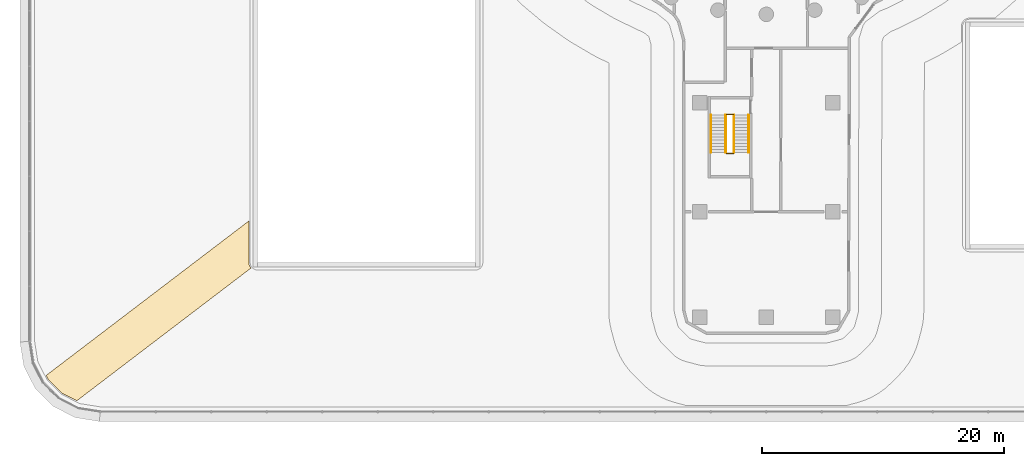
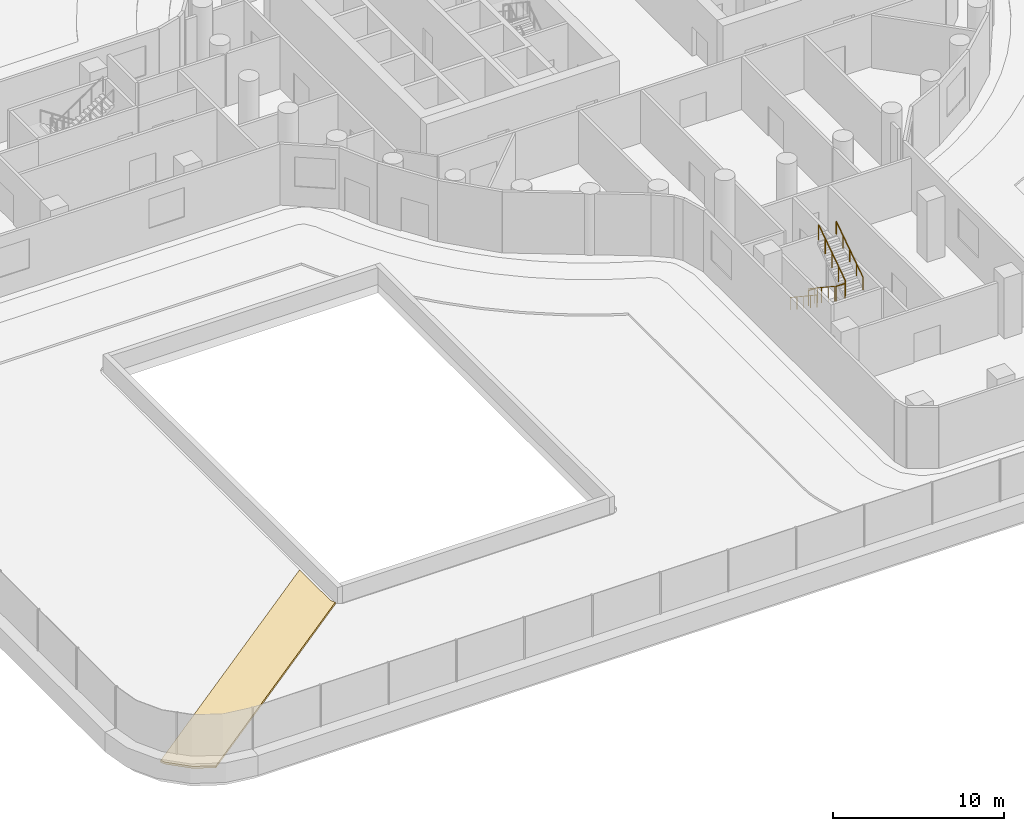
# One storey, part 31 of 37: 6 railings, 1 covering.
"""IFC4 building model written with IfcOpenShell, lengths in metres."""

from ifc_helpers import new_model, si_unit, direction, frame, origin, origin_2d, place, context, subcontext, project, spatial, polyline, circle, outline, extrude, material, layer, layer_set, type_object, element, save


model = new_model("IFC4")

# Units and contexts
model_context = context("Model", 3, precision=1e-05, world=origin(), true_north=direction((0.0, 1.0)))
body_context = subcontext(model_context, "Body", "Model", "MODEL_VIEW")
ifc_project = project(units=[si_unit("LENGTHUNIT", "METRE"), si_unit("AREAUNIT", "SQUARE_METRE"), si_unit("VOLUMEUNIT", "CUBIC_METRE"), si_unit("PLANEANGLEUNIT", "RADIAN"), si_unit("MASSUNIT", "GRAM", prefix="KILO")], contexts=[model_context])

# Site, building, storey
site_placement = place(None, origin())
site = spatial("IfcSite", under=ifc_project, at=site_placement, CompositionType="ELEMENT")
building_placement = place(site_placement, origin())
building = spatial("IfcBuilding", under=site, at=building_placement, Name="Tamarind Cross Interchange Tower", CompositionType="ELEMENT")
storey_placement = place(building_placement, frame((0.0, 0.0, 29.5)))
storey = spatial("IfcBuildingStorey", under=building, at=storey_placement, Name="L05", CompositionType="ELEMENT", Elevation=29.5)

# Covering
ifc_material_1 = material(Name="Terracotta paving", Category="masonry")
ifc_layer = layer(ifc_material_1, 0.14990234375)
ifc_layer_set = layer_set([ifc_layer], Name="Terracotta paving")
covering_type = type_object("IfcCoveringType", Name="Roof terrace paving", PredefinedType="FLOORING", material=ifc_layer_set)
covering_placement = place(storey_placement, frame((0.0, 0.0, 0.14990234375)))
element("IfcCovering", 1, at=covering_placement, inside=storey, type_object=covering_type, Name="PAVR-L05-01", PredefinedType="FLOORING", context=body_context, shape_type="SweptSolid", body=[
    extrude(outline(polyline([(-58.110107421875, -54.28076171875), (-56.90771484375, -54.893310546875), (-42.539306640625, -43.9462890625), (-42.544189453125, -43.940185546875), (-42.5791015625, -43.892822265625), (-42.584716796875, -43.884765625), (-42.614990234375, -43.834228515625), (-42.61962890625, -43.82568359375), (-42.644775390625, -43.7724609375), (-42.6484375, -43.76318359375), (-42.668212890625, -43.7080078125), (-42.671142578125, -43.698486328125), (-42.685546875, -43.641357421875), (-42.6875, -43.631591796875), (-42.696044921875, -43.573486328125), (-42.697021484375, -43.563720703125), (-42.699951171875, -43.5048828125), (-42.699951171875, -43.5), (-42.699951171875, -40.045654296875), (-59.439208984375, -52.79931640625), (-59.28076171875, -53.110107421875), (-58.110107421875, -54.28076171875)])), origin(), (0.0, 0.0, 1.0), 0.150146484375),
])

# Railings
ifc_material_2 = material(Name="Stair guard")
railing_type_1 = type_object("IfcRailingType", Name="Stair guard", PredefinedType="GUARDRAIL", material=ifc_material_2)
railing_1_placement = place(storey_placement, frame((-3.35009765625, -31.300048828125, 0.173095703125)))
element("IfcRailing", 2, at=railing_1_placement, inside=storey, type_object=railing_type_1, Name="L05 ST6 stair guard 1", PredefinedType="GUARDRAIL", context=body_context, shape_type="SweptSolid", body=[
    extrude(circle(Radius=0.02392578125, at=origin_2d()), frame((0.0, 0.0, 1.076171875), z_axis=(0.0, -0.832420903958, 0.554143879018), x_axis=(1.0, 0.0, 0.0)), (0.0, 0.0, 1.0), 3.748046875),
    extrude(circle(Radius=0.02099609375, at=origin_2d()), origin(), (0.0, 0.0, 1.0), 1.052001953125),
    extrude(circle(Radius=0.02099609375, at=origin_2d()), frame((0.0, -0.780029296875, 0.519287109375)), (0.0, 0.0, 1.0), 1.052001953125),
    extrude(circle(Radius=0.02099609375, at=origin_2d()), frame((0.0, -1.56005859375, 1.03857421875)), (0.0, 0.0, 1.0), 1.052001953125),
    extrude(circle(Radius=0.02099609375, at=origin_2d()), frame((0.0, -2.33984375, 1.5576171875)), (0.0, 0.0, 1.0), 1.052001953125),
    extrude(circle(Radius=0.02099609375, at=origin_2d()), frame((0.0, -3.119873046875, 2.076904296875)), (0.0, 0.0, 1.0), 1.052001953125),
])
railing_2_placement = place(storey_placement, frame((-3.300048828125, -34.469970703125, 2.25)))
element("IfcRailing", 3, at=railing_2_placement, inside=storey, type_object=railing_type_1, Name="L05 ST6 stair guard 2", PredefinedType="GUARDRAIL", context=body_context, shape_type="SweptSolid", body=[
    extrude(circle(Radius=0.02392578125, at=origin_2d()), frame((0.0, 0.0, 1.076171875), z_axis=(1.0, 0.0, 0.0), x_axis=(0.0, 1.0, 0.0)), (0.0, 0.0, 1.0), 0.60009765625),
    extrude(circle(Radius=0.02099609375, at=origin_2d()), origin(), (0.0, 0.0, 1.0), 1.052001953125),
    extrude(circle(Radius=0.02099609375, at=origin_2d()), frame((0.60009765625, 0.0, 0.0)), (0.0, 0.0, 1.0), 1.052001953125),
])
railing_3_placement = place(storey_placement, frame((-2.64990234375, -34.419921875, 2.423095703125)))
element("IfcRailing", 4, at=railing_3_placement, inside=storey, type_object=railing_type_1, Name="L05 ST6 stair guard 3", PredefinedType="GUARDRAIL", context=body_context, shape_type="SweptSolid", body=[
    extrude(circle(Radius=0.02392578125, at=origin_2d()), frame((0.0, 0.0, 1.076171875), z_axis=(0.0, 0.832420903958, 0.554143879018), x_axis=(-1.0, 0.0, 0.0)), (0.0, 0.0, 1.0), 3.748046875),
    extrude(circle(Radius=0.02099609375, at=origin_2d()), origin(), (0.0, 0.0, 1.0), 1.052001953125),
    extrude(circle(Radius=0.02099609375, at=origin_2d()), frame((0.0, 0.780029296875, 0.519287109375)), (0.0, 0.0, 1.0), 1.052001953125),
    extrude(circle(Radius=0.02099609375, at=origin_2d()), frame((0.0, 1.56005859375, 1.03857421875)), (0.0, 0.0, 1.0), 1.052001953125),
    extrude(circle(Radius=0.02099609375, at=origin_2d()), frame((0.0, 2.33984375, 1.5576171875)), (0.0, 0.0, 1.0), 1.052001953125),
    extrude(circle(Radius=0.02099609375, at=origin_2d()), frame((0.0, 3.119873046875, 2.076904296875)), (0.0, 0.0, 1.0), 1.052001953125),
])
railing_4_placement = place(storey_placement, frame((-3.300048828125, -31.25, 0.0)))
element("IfcRailing", 5, at=railing_4_placement, inside=storey, type_object=railing_type_1, Name="L05 ST6 stair guard 4", PredefinedType="GUARDRAIL", context=body_context, shape_type="SweptSolid", body=[
    extrude(circle(Radius=0.02392578125, at=origin_2d()), frame((0.0, 0.0, 1.076171875), z_axis=(1.0, 0.0, 0.0), x_axis=(0.0, 1.0, 0.0)), (0.0, 0.0, 1.0), 0.60009765625),
    extrude(circle(Radius=0.02099609375, at=origin_2d()), origin(), (0.0, 0.0, 1.0), 1.052001953125),
    extrude(circle(Radius=0.02099609375, at=origin_2d()), frame((0.60009765625, 0.0, 0.0)), (0.0, 0.0, 1.0), 1.052001953125),
])
ifc_material_3 = material(Name="Stair handrail")
railing_type_2 = type_object("IfcRailingType", Name="Stair handrail", PredefinedType="HANDRAIL", material=ifc_material_3)
railing_5_placement = place(storey_placement, frame((-4.550048828125, -31.300048828125, 0.173095703125)))
element("IfcRailing", 6, at=railing_5_placement, inside=storey, type_object=railing_type_2, Name="L05 ST6 stair handrail 1", PredefinedType="HANDRAIL", context=body_context, shape_type="SweptSolid", body=[
    extrude(circle(Radius=0.02392578125, at=origin_2d()), frame((0.0, 0.0, 0.8759765625), z_axis=(0.0, -0.832420903958, 0.554143879018), x_axis=(1.0, 0.0, 0.0)), (0.0, 0.0, 1.0), 3.748046875),
    extrude(circle(Radius=0.02099609375, at=origin_2d()), origin(), (0.0, 0.0, 1.0), 0.851806640625),
    extrude(circle(Radius=0.02099609375, at=origin_2d()), frame((0.0, -0.780029296875, 0.519287109375)), (0.0, 0.0, 1.0), 0.851806640625),
    extrude(circle(Radius=0.02099609375, at=origin_2d()), frame((0.0, -1.56005859375, 1.03857421875)), (0.0, 0.0, 1.0), 0.851806640625),
    extrude(circle(Radius=0.02099609375, at=origin_2d()), frame((0.0, -2.33984375, 1.5576171875)), (0.0, 0.0, 1.0), 0.851806640625),
    extrude(circle(Radius=0.02099609375, at=origin_2d()), frame((0.0, -3.119873046875, 2.076904296875)), (0.0, 0.0, 1.0), 0.851806640625),
])
railing_6_placement = place(storey_placement, frame((-1.449951171875, -34.419921875, 2.423095703125)))
element("IfcRailing", 7, at=railing_6_placement, inside=storey, type_object=railing_type_2, Name="L05 ST6 stair handrail 2", PredefinedType="HANDRAIL", context=body_context, shape_type="SweptSolid", body=[
    extrude(circle(Radius=0.02392578125, at=origin_2d()), frame((0.0, 0.0, 0.8759765625), z_axis=(0.0, 0.832420903958, 0.554143879018), x_axis=(-1.0, 0.0, 0.0)), (0.0, 0.0, 1.0), 3.748046875),
    extrude(circle(Radius=0.02099609375, at=origin_2d()), origin(), (0.0, 0.0, 1.0), 0.851806640625),
    extrude(circle(Radius=0.02099609375, at=origin_2d()), frame((0.0, 0.780029296875, 0.519287109375)), (0.0, 0.0, 1.0), 0.851806640625),
    extrude(circle(Radius=0.02099609375, at=origin_2d()), frame((0.0, 1.56005859375, 1.03857421875)), (0.0, 0.0, 1.0), 0.851806640625),
    extrude(circle(Radius=0.02099609375, at=origin_2d()), frame((0.0, 2.33984375, 1.5576171875)), (0.0, 0.0, 1.0), 0.851806640625),
    extrude(circle(Radius=0.02099609375, at=origin_2d()), frame((0.0, 3.119873046875, 2.076904296875)), (0.0, 0.0, 1.0), 0.851806640625),
])

save(model, "model.ifc")
